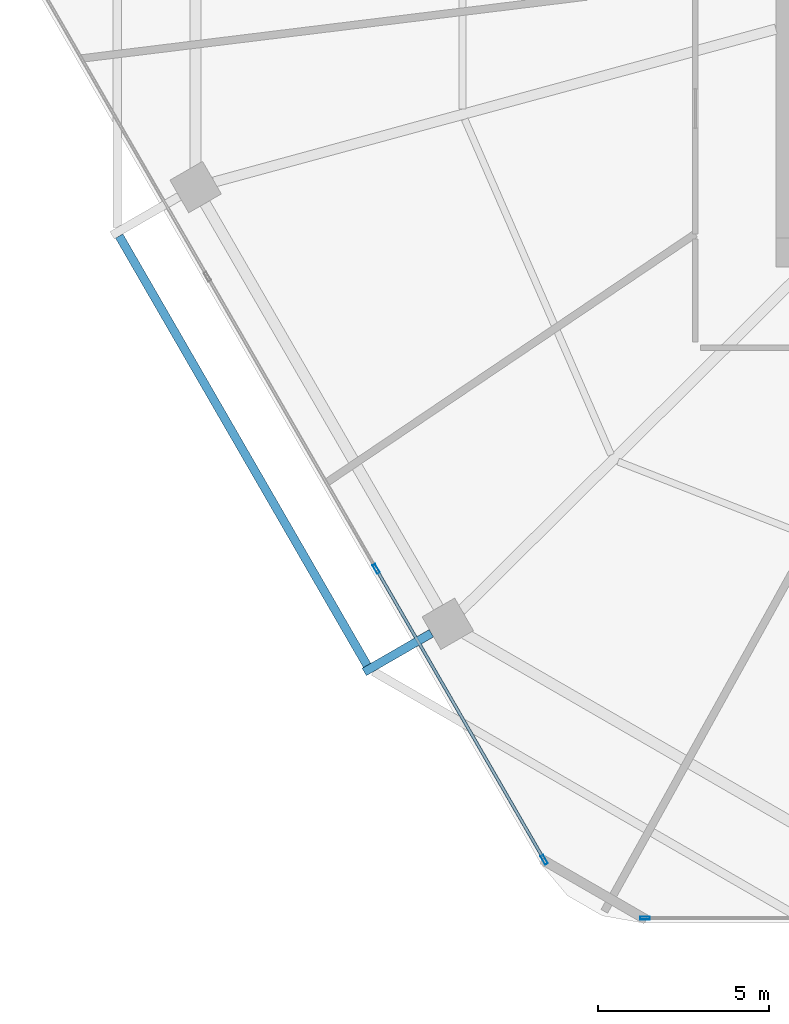
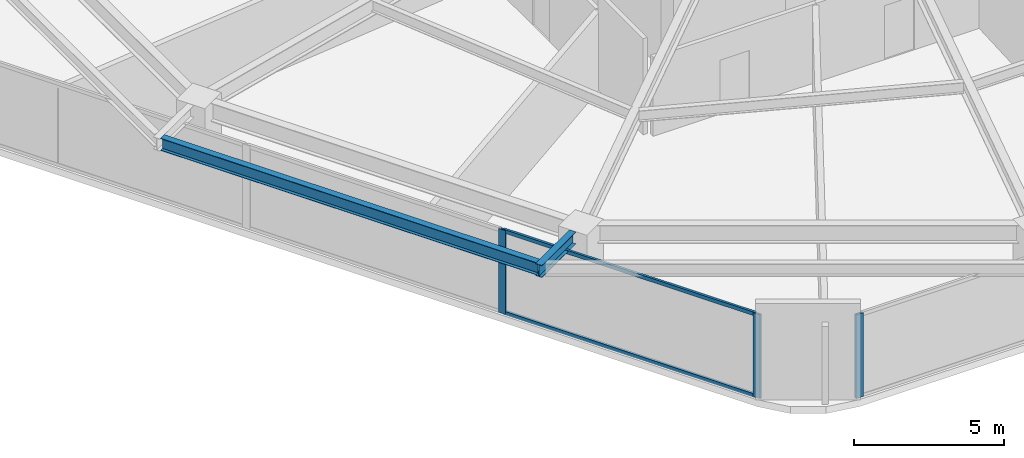
# One storey, part 2 of 28: 5 members, 2 beams, 2 elements without a shape of their own.
"""IFC4 building model written with IfcOpenShell, lengths in metres."""

from ifc_helpers import new_model, si_unit, direction, frame, origin, origin_2d, place, context, subcontext, project, spatial, hollow_rectangle, i_section, extrude, material, material_profile, profile_set, type_object, element, aggregate, save


model = new_model("IFC4")

# Units and contexts
model_context = context("Model", 3, precision=1e-05, world=origin(), true_north=direction((0.0, 1.0)))
body_context = subcontext(model_context, "Body", "Model", "MODEL_VIEW")
ifc_project = project(units=[si_unit("LENGTHUNIT", "METRE"), si_unit("AREAUNIT", "SQUARE_METRE"), si_unit("VOLUMEUNIT", "CUBIC_METRE"), si_unit("PLANEANGLEUNIT", "RADIAN"), si_unit("MASSUNIT", "GRAM", prefix="KILO")], contexts=[model_context])

# Site, building, storey
site_placement = place(None, origin())
site = spatial("IfcSite", under=ifc_project, at=site_placement, CompositionType="ELEMENT")
building_placement = place(site_placement, origin())
building = spatial("IfcBuilding", under=site, at=building_placement, Name="Zuhravey Tower", CompositionType="ELEMENT")
storey_placement = place(building_placement, frame((0.0, 0.0, 79.199951171875)))
storey = spatial("IfcBuildingStorey", under=building, at=storey_placement, Name="L19", CompositionType="ELEMENT", Elevation=79.199951171875)

# Curtain wall, member
ifc_material_1 = material(Name="Thermally broken anodised aluminium", Category="aluminium")
curtain_wall_type = type_object("IfcCurtainWallType", Name="School Low-E Unitised Curtain Wall CW1", PredefinedType="NOTDEFINED", material=ifc_material_1)
curtain_wall_1_placement = place(storey_placement, origin())
curtain_wall_1 = element("IfcCurtainWall", 1, at=curtain_wall_1_placement, inside=storey, type_object=curtain_wall_type, Name="L19 CW1 CW-L19-F5-1", PredefinedType="NOTDEFINED")
ifc_material_2 = material(Name="Anodised aluminium", Category="aluminium")
ifc_material_profile_1 = material_profile(ifc_material_2, hollow_rectangle(XDim=0.090087890625, YDim=0.284912109375, WallThickness=0.0048828125, at=origin_2d()), Name="ALU-RHS-90x285x5")
ifc_profile_set_1 = profile_set([ifc_material_profile_1], Name="Anodised aluminium")
member_type_1 = type_object("IfcMemberType", Name="Curtain-Wall Mullion 90x180", PredefinedType="MULLION", material=ifc_profile_set_1)
member_1_placement = place(storey_placement, frame((21.24560546875, 3.04150390625, 0.0), z_axis=(0.0, 0.0, 1.0), x_axis=(0.0, -1.0, 0.0)))
member_1 = element("IfcMember", 2, at=member_1_placement, type_object=member_type_1, Name="CW1 mullion 4", PredefinedType="MULLION", context=body_context, shape_type="SweptSolid", body=[
    extrude(hollow_rectangle(XDim=0.090087890625, YDim=0.284912109375, WallThickness=0.0048828125, at=origin_2d()), origin(), (0.0, 0.0, 1.0), 3.420166015625),
])
aggregate(curtain_wall_1, [member_1])

# Curtain wall, members
curtain_wall_2_placement = place(storey_placement, origin())
curtain_wall_2 = element("IfcCurtainWall", 3, at=curtain_wall_2_placement, inside=storey, type_object=curtain_wall_type, Name="L19 CW1 CW-L19-F4-1", PredefinedType="NOTDEFINED")
member_2_placement = place(storey_placement, frame((18.298583984375, 4.742919921875, 0.0), z_axis=(0.0, 0.0, 1.0), x_axis=(-0.86602552265, -0.499999794119, 0.0)))
member_2 = element("IfcMember", 4, at=member_2_placement, type_object=member_type_1, Name="CW1 mullion 1", PredefinedType="MULLION", context=body_context, shape_type="SweptSolid", body=[
    extrude(hollow_rectangle(XDim=0.090087890625, YDim=0.284912109375, WallThickness=0.0048828125, at=origin_2d()), origin(), (0.0, 0.0, 1.0), 3.420166015625),
])
member_3_placement = place(storey_placement, frame((13.387939453125, 13.24853515625, 0.0), z_axis=(0.0, 0.0, 1.0), x_axis=(-0.86602552265, -0.499999794119, 0.0)))
member_3 = element("IfcMember", 5, at=member_3_placement, type_object=member_type_1, Name="CW1 mullion 2", PredefinedType="MULLION", context=body_context, shape_type="SweptSolid", body=[
    extrude(hollow_rectangle(XDim=0.090087890625, YDim=0.284912109375, WallThickness=0.0048828125, at=origin_2d()), origin(), (0.0, 0.0, 1.0), 3.420166015625),
])
ifc_material_profile_2 = material_profile(ifc_material_2, hollow_rectangle(XDim=0.090087890625, YDim=0.14990234375, WallThickness=0.0048828125, at=origin_2d()), Name="ALU-RHS-90x150x5")
ifc_profile_set_2 = profile_set([ifc_material_profile_2], Name="Anodised aluminium")
member_type_2 = type_object("IfcMemberType", Name="Curtain-Wall Transom 90x150", PredefinedType="USERDEFINED", material=ifc_profile_set_2)
member_4_placement = place(storey_placement, frame((18.27587890625, 4.781982421875, 0.045166015625), z_axis=(-0.499989576763, 0.86603142156, 0.0), x_axis=(-0.86603142156, -0.499989576763, 0.0)))
member_4 = element("IfcMember", 6, at=member_4_placement, type_object=member_type_2, Name="CW1 transom 1.1", ObjectType="TRANSOM", PredefinedType="USERDEFINED", context=body_context, shape_type="SweptSolid", body=[
    extrude(hollow_rectangle(XDim=0.090087890625, YDim=0.14990234375, WallThickness=0.0048828125, at=origin_2d()), origin(), (0.0, 0.0, 1.0), 9.731201171875),
])
member_5_placement = place(storey_placement, frame((18.27587890625, 4.781982421875, 3.375), z_axis=(-0.499989576763, 0.86603142156, 0.0), x_axis=(-0.86603142156, -0.499989576763, 0.0)))
member_5 = element("IfcMember", 7, at=member_5_placement, type_object=member_type_2, Name="CW1 transom 1.2", ObjectType="TRANSOM", PredefinedType="USERDEFINED", context=body_context, shape_type="SweptSolid", body=[
    extrude(hollow_rectangle(XDim=0.090087890625, YDim=0.14990234375, WallThickness=0.0048828125, at=origin_2d()), origin(), (0.0, 0.0, 1.0), 9.731201171875),
])
aggregate(curtain_wall_2, [member_2, member_3, member_4, member_5])

# Beams
ifc_material_3 = material(Name="Steel SM355", Category="steel")
ifc_material_profile_3 = material_profile(ifc_material_3, i_section(OverallWidth=0.25, OverallDepth=0.5, WebThickness=0.010009765625, FlangeThickness=0.01611328125, at=origin_2d()), Name="H-500x250x10x16")
ifc_profile_set_3 = profile_set([ifc_material_profile_3], Name="Steel SM355")
beam_type = type_object("IfcBeamType", Name="Tray Cantilever Spandrel H500x250", PredefinedType="SPANDREL", material=ifc_profile_set_3)
beam_1_placement = place(storey_placement, frame((15.001220703125, 11.3662109375, 3.670166015625), z_axis=(-0.866013342106, -0.500020890858, 0.0), x_axis=(0.500020890858, -0.866013342106, 0.0)))
element("IfcBeam", 8, at=beam_1_placement, inside=storey, type_object=beam_type, Name="L19 Sky-Tray Cantilever Arm TSB1-R08", PredefinedType="SPANDREL", context=body_context, shape_type="SweptSolid", body=[
    extrude(i_section(OverallWidth=0.25, OverallDepth=0.5, WebThickness=0.010009765625, FlangeThickness=0.01611328125, at=origin_2d()), origin(), (0.0, 0.0, 1.0), 2.26611328125),
])
beam_2_placement = place(storey_placement, frame((5.87744140625, 22.976806640625, 3.670166015625), z_axis=(0.500001430823, -0.866024577697, 0.0), x_axis=(0.866024577697, 0.500001430823, 0.0)))
element("IfcBeam", 9, at=beam_2_placement, inside=storey, type_object=beam_type, Name="L19 Sky-Tray Edge Spandrel TSB1-07", PredefinedType="SPANDREL", context=body_context, shape_type="SweptSolid", body=[
    extrude(i_section(OverallWidth=0.25, OverallDepth=0.5, WebThickness=0.010009765625, FlangeThickness=0.01611328125, at=origin_2d()), origin(), (0.0, 0.0, 1.0), 14.494140625),
])

save(model, "model.ifc")
